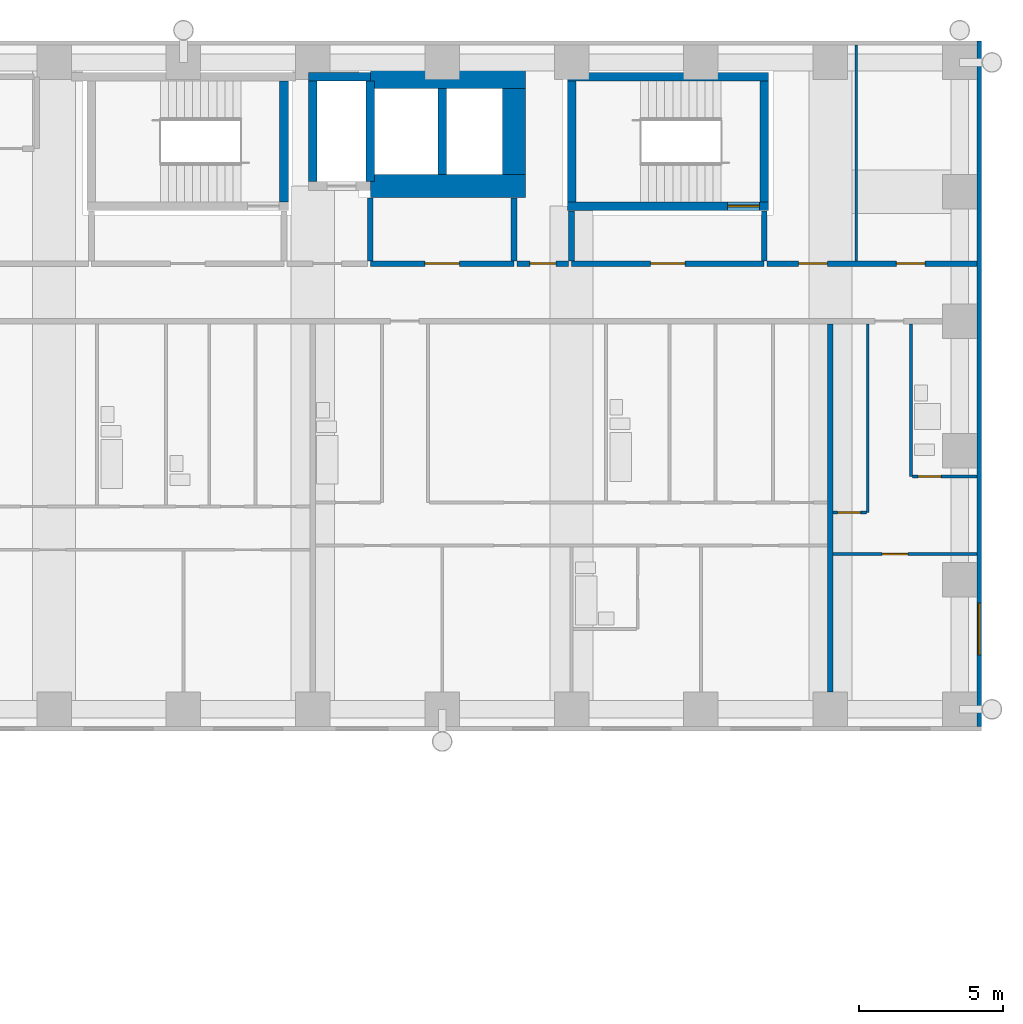
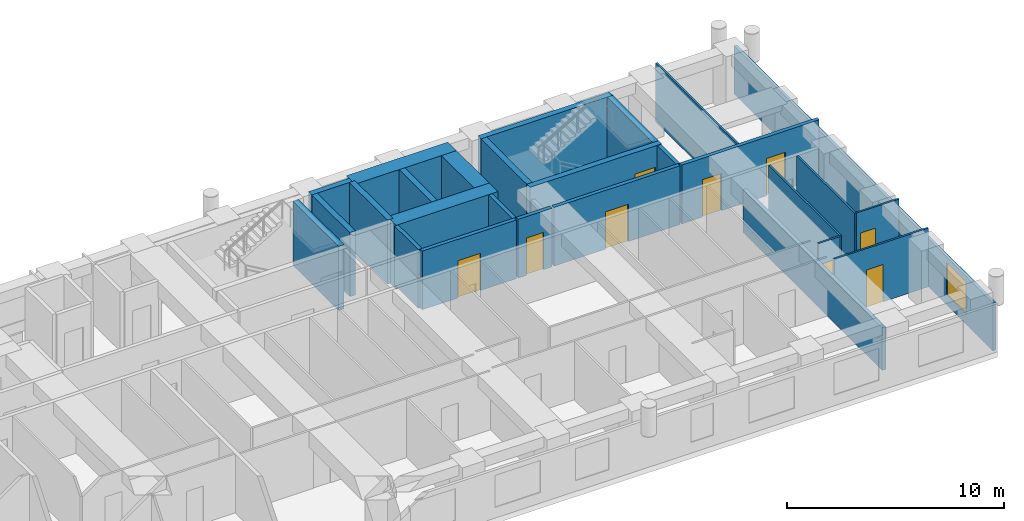
# One storey, part 11 of 14: 28 walls, 9 doors, 1 window, 10 openings.
"""IFC4 building model written with IfcOpenShell, lengths in metres."""

from ifc_helpers import new_model, si_unit, direction, frame, frame_2d, origin, place, context, subcontext, project, spatial, rectangle, extrude, material, layer, layer_set, type_object, element, fill, save


model = new_model("IFC4")

# Units and contexts
model_context = context("Model", 3, precision=1e-05, world=origin(), true_north=direction((0.0, 1.0)))
body_context = subcontext(model_context, "Body", "Model", "MODEL_VIEW")
ifc_project = project(units=[si_unit("LENGTHUNIT", "METRE"), si_unit("AREAUNIT", "SQUARE_METRE"), si_unit("VOLUMEUNIT", "CUBIC_METRE"), si_unit("PLANEANGLEUNIT", "RADIAN"), si_unit("MASSUNIT", "GRAM", prefix="KILO")], contexts=[model_context])

# Site, building, storey
site_placement = place(None, origin())
site = spatial("IfcSite", under=ifc_project, at=site_placement, CompositionType="ELEMENT")
building_placement = place(site_placement, origin())
building = spatial("IfcBuilding", under=site, at=building_placement, Name="Firuza Court", CompositionType="ELEMENT")
storey_placement = place(building_placement, frame((0.0, 0.0, 90.199951171875)))
storey = spatial("IfcBuildingStorey", under=building, at=storey_placement, Name="L22", CompositionType="ELEMENT", Elevation=90.199951171875)

# Walls
ifc_material_1 = material(Name="Moisture-resistant gypsum board partition")
ifc_layer_1 = layer(ifc_material_1, 0.10009765625)
ifc_layer_set_1 = layer_set([ifc_layer_1], Name="Moisture-resistant gypsum board partition")
wall_type_1 = type_object("IfcWallType", Name="Bathroom partition 100", PredefinedType="PLUMBINGWALL", material=ifc_layer_set_1)
wall_1_placement = place(storey_placement, frame((65.800048828125, 44.10009765625, 0.0), z_axis=(0.0, 0.0, 1.0), x_axis=(0.0, 1.0, 0.0)))
element("IfcWall", 1, at=wall_1_placement, inside=storey, type_object=wall_type_1, Name="Bathroom partition 100 L22", PredefinedType="PLUMBINGWALL", context=body_context, shape_type="SweptSolid", body=[
    extrude(rectangle(XDim=5.2998046875, YDim=0.10009765625, at=frame_2d((2.64990234375, 0.0))), origin(), (0.0, 0.0, 1.0), 3.300048828125),
])
ifc_material_2 = material(Name="Concrete C60/75", Category="concrete")
ifc_layer_2 = layer(ifc_material_2, 0.300048828125)
ifc_layer_set_2 = layer_set([ifc_layer_2], Name="Concrete C60/75")
wall_type_2 = type_object("IfcWallType", Name="Core wall 300 C60/75", PredefinedType="SHEAR", material=ifc_layer_set_2)
wall_2_placement = place(storey_placement, frame((44.0, 53.64990234375, -0.300048828125), z_axis=(0.0, 0.0, 1.0), x_axis=(0.0, 1.0, 0.0)))
element("IfcWall", 2, at=wall_2_placement, inside=storey, type_object=wall_type_2, Name="Core wall stair L22", PredefinedType="SHEAR", context=body_context, shape_type="SweptSolid", body=[
    extrude(rectangle(XDim=4.2001953125, YDim=0.300048828125, at=frame_2d((2.10009765625, 0.0))), origin(), (0.0, 0.0, 1.0), 3.60009765625),
])
wall_3_placement = place(storey_placement, frame((44.85009765625, 58.0, -0.300048828125), z_axis=(0.0, 0.0, 1.0), x_axis=(1.0, 0.0, 0.0)))
element("IfcWall", 3, at=wall_3_placement, inside=storey, type_object=wall_type_2, Name="Core wall riser L22", PredefinedType="SHEAR", context=body_context, shape_type="SweptSolid", body=[
    extrude(rectangle(XDim=2.14990234375, YDim=0.300048828125, at=frame_2d((1.074951171875, 0.0))), origin(), (0.0, 0.0, 1.0), 3.60009765625),
])
for number, where, z_axis, x_axis, name in (
    (4, (45.0, 54.35009765625, -0.300048828125), (0.0, 0.0, 1.0), (0.0, 1.0, 0.0), "Core wall riser L22"),
    (5, (47.0, 54.35009765625, -0.300048828125), (0.0, 0.0, 1.0), (0.0, 1.0, 0.0), "Core wall lift shaft L22"),
):
    element("IfcWall", number, at=place(storey_placement, frame(where, z_axis=z_axis, x_axis=x_axis)), inside=storey, type_object=wall_type_2, Name=name, PredefinedType="SHEAR", context=body_context, shape_type="SweptSolid", body=[
        extrude(rectangle(XDim=3.5, YDim=0.300048828125, at=frame_2d((1.75, 0.0))), origin(), (0.0, 0.0, 1.0), 3.60009765625),
    ])
wall_4_placement = place(storey_placement, frame((49.5, 54.60009765625, -0.300048828125), z_axis=(0.0, 0.0, 1.0), x_axis=(0.0, 1.0, 0.0)))
element("IfcWall", 6, at=wall_4_placement, inside=storey, type_object=wall_type_2, Name="Core wall lift shaft L22", PredefinedType="SHEAR", context=body_context, shape_type="SweptSolid", body=[
    extrude(rectangle(XDim=3.0, YDim=0.300048828125, at=frame_2d((1.5, 0.0))), origin(), (0.0, 0.0, 1.0), 3.60009765625),
])

# Wall, opening, door
wall_5_placement = place(storey_placement, frame((53.85009765625, 53.5, -0.300048828125), z_axis=(0.0, 0.0, 1.0), x_axis=(1.0, 0.0, 0.0)))
wall_5 = element("IfcWall", 7, at=wall_5_placement, inside=storey, type_object=wall_type_2, Name="Core wall stair L22", PredefinedType="SHEAR", context=body_context, shape_type="SweptSolid", body=[
    extrude(rectangle(XDim=7.0, YDim=0.300048828125, at=frame_2d((3.5, 0.0))), origin(), (0.0, 0.0, 1.0), 3.60009765625),
])
opening_1_placement = place(wall_5_placement, frame((5.580078125, 0.0, 0.300048828125)))
opening_1 = element("IfcOpeningElement", 8, at=opening_1_placement, cuts=wall_5, Name="Opening D22017", PredefinedType="OPENING", context=body_context, shape_type="SweptSolid", body=[
    extrude(rectangle(XDim=1.10009765625, YDim=2.10009765625, at=frame_2d((0.550048828125, 1.050048828125))), frame((0.0, 0.162109375, 0.0), z_axis=(0.0, -1.0, 0.0), x_axis=(1.0, 0.0, 0.0)), (0.0, 0.0, 1.0), 0.323974609375),
])
ifc_material_3 = material(Name="Timber door leaf in hardwood frame", Category="wood")
door_type_1 = type_object("IfcDoorType", Name="Stair door 1100", OperationType="SINGLE_SWING_LEFT", PredefinedType="DOOR", material=ifc_material_3)
door_1_placement = place(opening_1_placement, origin())
door_1 = element("IfcDoor", 9, at=door_1_placement, inside=storey, type_object=door_type_1, Name="Stair door S4", OperationType="SINGLE_SWING_RIGHT", OverallHeight=2.10009765625, OverallWidth=1.10009765625, PredefinedType="DOOR", context=body_context, shape_type="SweptSolid", body=[
    extrude(rectangle(XDim=1.10009765625, YDim=2.10009765625, at=frame_2d((0.550048828125, 1.050048828125))), frame((0.0, 0.02490234375, 0.0), z_axis=(0.0, -1.0, 0.0), x_axis=(1.0, 0.0, 0.0)), (0.0, 0.0, 1.0), 0.050048828125),
])
fill(opening_1, door_1)

# Walls
wall_6_placement = place(storey_placement, frame((53.85009765625, 58.0, -0.300048828125), z_axis=(0.0, 0.0, 1.0), x_axis=(1.0, 0.0, 0.0)))
element("IfcWall", 10, at=wall_6_placement, inside=storey, type_object=wall_type_2, Name="Core wall stair L22", PredefinedType="SHEAR", context=body_context, shape_type="SweptSolid", body=[
    extrude(rectangle(XDim=7.0, YDim=0.300048828125, at=frame_2d((3.5, 0.0))), origin(), (0.0, 0.0, 1.0), 3.60009765625),
])
for number, where, z_axis, x_axis, name in (
    (11, (54.0, 53.64990234375, -0.300048828125), (0.0, 0.0, 1.0), (0.0, 1.0, 0.0), "Core wall stair L22"),
    (12, (60.699951171875, 53.64990234375, -0.300048828125), (0.0, 0.0, 1.0), (0.0, 1.0, 0.0), "Core wall stair L22"),
):
    element("IfcWall", number, at=place(storey_placement, frame(where, z_axis=z_axis, x_axis=x_axis)), inside=storey, type_object=wall_type_2, Name=name, PredefinedType="SHEAR", context=body_context, shape_type="SweptSolid", body=[
        extrude(rectangle(XDim=4.2001953125, YDim=0.300048828125, at=frame_2d((2.10009765625, 0.0))), origin(), (0.0, 0.0, 1.0), 3.60009765625),
    ])
ifc_layer_3 = layer(ifc_material_2, 0.800048828125)
ifc_layer_set_3 = layer_set([ifc_layer_3], Name="Concrete C60/75")
wall_type_3 = type_object("IfcWallType", Name="Core wall 800 C60/75", PredefinedType="SHEAR", material=ifc_layer_set_3)
for number, where, z_axis, x_axis, name in (
    (13, (47.0, 54.199951171875, -0.300048828125), (0.0, 0.0, 1.0), (1.0, 0.0, 0.0), "Core wall lift shaft L22"),
    (14, (47.0, 58.0, -0.300048828125), (0.0, 0.0, 1.0), (1.0, 0.0, 0.0), "Core wall lift shaft L22"),
):
    element("IfcWall", number, at=place(storey_placement, frame(where, z_axis=z_axis, x_axis=x_axis)), inside=storey, type_object=wall_type_3, Name=name, PredefinedType="SHEAR", context=body_context, shape_type="SweptSolid", body=[
        extrude(rectangle(XDim=5.39990234375, YDim=0.800048828125, at=frame_2d((2.699951171875, 0.0))), origin(), (0.0, 0.0, 1.0), 3.60009765625),
    ])
wall_7_placement = place(storey_placement, frame((52.0, 54.60009765625, -0.300048828125), z_axis=(0.0, 0.0, 1.0), x_axis=(0.0, 1.0, 0.0)))
element("IfcWall", 15, at=wall_7_placement, inside=storey, type_object=wall_type_3, Name="Core wall lift shaft L22", PredefinedType="SHEAR", context=body_context, shape_type="SweptSolid", body=[
    extrude(rectangle(XDim=3.0, YDim=0.800048828125, at=frame_2d((1.5, 0.0))), origin(), (0.0, 0.0, 1.0), 3.60009765625),
])

# Wall, opening, door
ifc_material_4 = material(Name="Blockwork, plastered both sides", Category="masonry")
ifc_layer_4 = layer(ifc_material_4, 0.199951171875)
ifc_layer_set_4 = layer_set([ifc_layer_4], Name="Blockwork, plastered both sides")
wall_type_4 = type_object("IfcWallType", Name="Corridor wall 200", PredefinedType="PARTITIONING", material=ifc_layer_set_4)
wall_8_placement = place(storey_placement, frame((52.10009765625, 51.5, 0.0), z_axis=(0.0, 0.0, 1.0), x_axis=(1.0, 0.0, 0.0)))
wall_8 = element("IfcWall", 16, at=wall_8_placement, inside=storey, type_object=wall_type_4, Name="Corridor wall 200 L22", PredefinedType="PARTITIONING", context=body_context, shape_type="SweptSolid", body=[
    extrude(rectangle(XDim=1.7998046875, YDim=0.199951171875, at=frame_2d((0.89990234375, 0.0))), origin(), (0.0, 0.0, 1.0), 3.300048828125),
])
opening_2_placement = place(wall_8_placement, frame((0.449951171875, 0.0, 0.0)))
opening_2 = element("IfcOpeningElement", 17, at=opening_2_placement, cuts=wall_8, Name="Opening D22075", PredefinedType="OPENING", context=body_context, shape_type="SweptSolid", body=[
    extrude(rectangle(XDim=0.89990234375, YDim=2.10009765625, at=frame_2d((0.449951171875, 1.050048828125))), frame((0.0, 0.11181640625, 0.0), z_axis=(0.0, -1.0, 0.0), x_axis=(1.0, 0.0, 0.0)), (0.0, 0.0, 1.0), 0.223876953125),
])
ifc_material_5 = material(Name="Timber door leaf in hardwood frame", Category="wood")
door_type_2 = type_object("IfcDoorType", Name="Room door 900 EI 30", OperationType="SINGLE_SWING_LEFT", PredefinedType="DOOR", material=ifc_material_5)
door_2_placement = place(opening_2_placement, origin())
door_2 = element("IfcDoor", 18, at=door_2_placement, inside=storey, type_object=door_type_2, Name="Staff pantry door", OperationType="SINGLE_SWING_LEFT", OverallHeight=2.10009765625, OverallWidth=0.89990234375, PredefinedType="DOOR", context=body_context, shape_type="SweptSolid", body=[
    extrude(rectangle(XDim=0.89990234375, YDim=2.10009765625, at=frame_2d((0.449951171875, 1.050048828125))), frame((0.0, 0.02490234375, 0.0), z_axis=(0.0, -1.0, 0.0), x_axis=(1.0, 0.0, 0.0)), (0.0, 0.0, 1.0), 0.050048828125),
])
fill(opening_2, door_2)

# Wall, openings, doors
wall_9_placement = place(storey_placement, frame((60.800048828125, 51.5, 0.0), z_axis=(0.0, 0.0, 1.0), x_axis=(1.0, 0.0, 0.0)))
wall_9 = element("IfcWall", 19, at=wall_9_placement, inside=storey, type_object=wall_type_4, Name="Corridor wall 200 L22", PredefinedType="PARTITIONING", context=body_context, shape_type="SweptSolid", body=[
    extrude(rectangle(XDim=7.300048828125, YDim=0.199951171875, at=frame_2d((3.64990234375, 0.0))), origin(), (0.0, 0.0, 1.0), 3.300048828125),
])
opening_3_placement = place(wall_9_placement, frame((1.10009765625, 0.0, 0.0)))
opening_3 = element("IfcOpeningElement", 20, at=opening_3_placement, cuts=wall_9, Name="Opening D22076", PredefinedType="OPENING", context=body_context, shape_type="SweptSolid", body=[
    extrude(rectangle(XDim=1.0, YDim=2.10009765625, at=frame_2d((0.5, 1.050048828125))), frame((0.0, 0.11181640625, 0.0), z_axis=(0.0, -1.0, 0.0), x_axis=(1.0, 0.0, 0.0)), (0.0, 0.0, 1.0), 0.223876953125),
])
opening_4_placement = place(wall_9_placement, frame((4.5, 0.0, 0.0)))
opening_4 = element("IfcOpeningElement", 21, at=opening_4_placement, cuts=wall_9, Name="Opening D22077", PredefinedType="OPENING", context=body_context, shape_type="SweptSolid", body=[
    extrude(rectangle(XDim=1.0, YDim=2.10009765625, at=frame_2d((0.5, 1.050048828125))), frame((0.0, 0.11181640625, 0.0), z_axis=(0.0, -1.0, 0.0), x_axis=(1.0, 0.0, 0.0)), (0.0, 0.0, 1.0), 0.223876953125),
])
ifc_material_6 = material(Name="Timber door leaf in hardwood frame", Category="wood")
door_type_3 = type_object("IfcDoorType", Name="Store door 1000", OperationType="SINGLE_SWING_LEFT", PredefinedType="DOOR", material=ifc_material_6)
door_3_placement = place(opening_3_placement, origin())
door_3 = element("IfcDoor", 22, at=door_3_placement, inside=storey, type_object=door_type_3, Name="Parcel room door", OperationType="SINGLE_SWING_LEFT", OverallHeight=2.10009765625, OverallWidth=1.0, PredefinedType="DOOR", context=body_context, shape_type="SweptSolid", body=[
    extrude(rectangle(XDim=1.0, YDim=2.10009765625, at=frame_2d((0.5, 1.050048828125))), frame((0.0, 0.02490234375, 0.0), z_axis=(0.0, -1.0, 0.0), x_axis=(1.0, 0.0, 0.0)), (0.0, 0.0, 1.0), 0.050048828125),
])
fill(opening_3, door_3)
door_4_placement = place(opening_4_placement, origin())
door_4 = element("IfcDoor", 23, at=door_4_placement, inside=storey, type_object=door_type_3, Name="Cleaner's store door", OperationType="SINGLE_SWING_LEFT", OverallHeight=2.10009765625, OverallWidth=1.0, PredefinedType="DOOR", context=body_context, shape_type="SweptSolid", body=[
    extrude(rectangle(XDim=1.0, YDim=2.10009765625, at=frame_2d((0.5, 1.050048828125))), frame((0.0, 0.02490234375, 0.0), z_axis=(0.0, -1.0, 0.0), x_axis=(1.0, 0.0, 0.0)), (0.0, 0.0, 1.0), 0.050048828125),
])
fill(opening_4, door_4)

# Wall, opening, door
ifc_material_7 = material(Name="Timber stud partition, plasterboard both sides", Category="wood")
ifc_layer_5 = layer(ifc_material_7, 0.10009765625)
ifc_layer_set_5 = layer_set([ifc_layer_5], Name="Timber stud partition, plasterboard both sides")
wall_type_5 = type_object("IfcWallType", Name="Partition wall 100", PredefinedType="PARTITIONING", material=ifc_layer_set_5)
wall_10_placement = place(storey_placement, frame((63.10009765625, 41.39990234375, 0.0), z_axis=(0.0, 0.0, 1.0), x_axis=(1.0, 0.0, 0.0)))
wall_10 = element("IfcWall", 24, at=wall_10_placement, inside=storey, type_object=wall_type_5, Name="Partition wall 100 L22", PredefinedType="PARTITIONING", context=body_context, shape_type="SweptSolid", body=[
    extrude(rectangle(XDim=5.0, YDim=0.10009765625, at=frame_2d((2.5, 0.0))), origin(), (0.0, 0.0, 1.0), 3.300048828125),
])
opening_5_placement = place(wall_10_placement, frame((1.699951171875, 0.0, 0.0)))
opening_5 = element("IfcOpeningElement", 25, at=opening_5_placement, cuts=wall_10, Name="Opening D22043", PredefinedType="OPENING", context=body_context, shape_type="SweptSolid", body=[
    extrude(rectangle(XDim=0.89990234375, YDim=2.10009765625, at=frame_2d((0.449951171875, 1.050048828125))), frame((0.0, 0.06201171875, 0.0), z_axis=(0.0, -1.0, 0.0), x_axis=(1.0, 0.0, 0.0)), (0.0, 0.0, 1.0), 0.1240234375),
])
ifc_material_8 = material(Name="Timber door leaf in hardwood frame", Category="wood")
door_type_4 = type_object("IfcDoorType", Name="Room door 900", OperationType="SINGLE_SWING_LEFT", PredefinedType="DOOR", material=ifc_material_8)
door_5_placement = place(opening_5_placement, frame((0.89990234375, 0.0, 0.0), z_axis=(0.0, 0.0, 1.0), x_axis=(-1.0, 0.0, 0.0)))
door_5 = element("IfcDoor", 26, at=door_5_placement, inside=storey, type_object=door_type_4, Name="Studio room door", OperationType="SINGLE_SWING_RIGHT", OverallHeight=2.10009765625, OverallWidth=0.89990234375, PredefinedType="DOOR", context=body_context, shape_type="SweptSolid", body=[
    extrude(rectangle(XDim=0.89990234375, YDim=2.10009765625, at=frame_2d((0.449951171875, 1.050048828125))), frame((0.0, 0.02490234375, 0.0), z_axis=(0.0, -1.0, 0.0), x_axis=(1.0, 0.0, 0.0)), (0.0, 0.0, 1.0), 0.050048828125),
])
fill(opening_5, door_5)

wall_11_placement = place(storey_placement, frame((63.10009765625, 42.85009765625, 0.0), z_axis=(0.0, 0.0, 1.0), x_axis=(1.0, 0.0, 0.0)))
wall_11 = element("IfcWall", 27, at=wall_11_placement, inside=storey, type_object=wall_type_5, Name="Partition wall 100 L22", PredefinedType="PARTITIONING", context=body_context, shape_type="SweptSolid", body=[
    extrude(rectangle(XDim=1.14990234375, YDim=0.10009765625, at=frame_2d((0.574951171875, 0.0))), origin(), (0.0, 0.0, 1.0), 3.300048828125),
])
opening_6_placement = place(wall_11_placement, frame((0.14990234375, 0.0, 0.0)))
opening_6 = element("IfcOpeningElement", 28, at=opening_6_placement, cuts=wall_11, Name="Opening D22052", PredefinedType="OPENING", context=body_context, shape_type="SweptSolid", body=[
    extrude(rectangle(XDim=0.800048828125, YDim=2.10009765625, at=frame_2d((0.39990234375, 1.050048828125))), frame((0.0, 0.06201171875, 0.0), z_axis=(0.0, -1.0, 0.0), x_axis=(1.0, 0.0, 0.0)), (0.0, 0.0, 1.0), 0.1240234375),
])
ifc_material_9 = material(Name="Timber door leaf in hardwood frame", Category="wood")
door_type_5 = type_object("IfcDoorType", Name="Room door 800", OperationType="SINGLE_SWING_LEFT", PredefinedType="DOOR", material=ifc_material_9)
door_6_placement = place(opening_6_placement, origin())
door_6 = element("IfcDoor", 29, at=door_6_placement, inside=storey, type_object=door_type_5, Name="Kitchen door", OperationType="SINGLE_SWING_LEFT", OverallHeight=2.10009765625, OverallWidth=0.800048828125, PredefinedType="DOOR", context=body_context, shape_type="SweptSolid", body=[
    extrude(rectangle(XDim=0.800048828125, YDim=2.10009765625, at=frame_2d((0.39990234375, 1.050048828125))), frame((0.0, 0.02490234375, 0.0), z_axis=(0.0, -1.0, 0.0), x_axis=(1.0, 0.0, 0.0)), (0.0, 0.0, 1.0), 0.050048828125),
])
fill(opening_6, door_6)

# Wall
wall_12_placement = place(storey_placement, frame((64.300048828125, 42.85009765625, 0.0), z_axis=(0.0, 0.0, 1.0), x_axis=(0.0, 1.0, 0.0)))
element("IfcWall", 30, at=wall_12_placement, inside=storey, type_object=wall_type_5, Name="Partition wall 100 L22", PredefinedType="PARTITIONING", context=body_context, shape_type="SweptSolid", body=[
    extrude(rectangle(XDim=6.5498046875, YDim=0.10009765625, at=frame_2d((3.27490234375, 0.0))), origin(), (0.0, 0.0, 1.0), 3.300048828125),
])

# Wall, opening, door
wall_13_placement = place(storey_placement, frame((65.85009765625, 44.10009765625, 0.0), z_axis=(0.0, 0.0, 1.0), x_axis=(1.0, 0.0, 0.0)))
wall_13 = element("IfcWall", 31, at=wall_13_placement, inside=storey, type_object=wall_type_5, Name="Partition wall 100 L22", PredefinedType="PARTITIONING", context=body_context, shape_type="SweptSolid", body=[
    extrude(rectangle(XDim=2.25, YDim=0.10009765625, at=frame_2d((1.125, 0.0))), origin(), (0.0, 0.0, 1.0), 3.300048828125),
])
opening_7_placement = place(wall_13_placement, frame((0.199951171875, 0.0, 0.0)))
opening_7 = element("IfcOpeningElement", 32, at=opening_7_placement, cuts=wall_13, Name="Opening D22067", PredefinedType="OPENING", context=body_context, shape_type="SweptSolid", body=[
    extrude(rectangle(XDim=0.800048828125, YDim=2.10009765625, at=frame_2d((0.39990234375, 1.050048828125))), frame((0.0, 0.06201171875, 0.0), z_axis=(0.0, -1.0, 0.0), x_axis=(1.0, 0.0, 0.0)), (0.0, 0.0, 1.0), 0.1240234375),
])
ifc_material_10 = material(Name="Timber door leaf in hardwood frame", Category="wood")
door_type_6 = type_object("IfcDoorType", Name="Bathroom door 800", OperationType="SINGLE_SWING_LEFT", PredefinedType="DOOR", material=ifc_material_10)
door_7_placement = place(opening_7_placement, origin())
door_7 = element("IfcDoor", 33, at=door_7_placement, inside=storey, type_object=door_type_6, Name="Bathroom door", OperationType="SINGLE_SWING_LEFT", OverallHeight=2.10009765625, OverallWidth=0.800048828125, PredefinedType="DOOR", context=body_context, shape_type="SweptSolid", body=[
    extrude(rectangle(XDim=0.800048828125, YDim=2.10009765625, at=frame_2d((0.39990234375, 1.050048828125))), frame((0.0, 0.02490234375, 0.0), z_axis=(0.0, -1.0, 0.0), x_axis=(1.0, 0.0, 0.0)), (0.0, 0.0, 1.0), 0.050048828125),
])
fill(opening_7, door_7)

# Walls
wall_14_placement = place(storey_placement, frame((63.89990234375, 51.60009765625, 0.0), z_axis=(0.0, 0.0, 1.0), x_axis=(0.0, 1.0, 0.0)))
element("IfcWall", 34, at=wall_14_placement, inside=storey, type_object=wall_type_5, Name="Partition wall 100 L22", PredefinedType="PARTITIONING", context=body_context, shape_type="SweptSolid", body=[
    extrude(rectangle(XDim=7.5, YDim=0.10009765625, at=frame_2d((3.75, 0.0))), origin(), (0.0, 0.0, 1.0), 3.300048828125),
])
ifc_layer_6 = layer(ifc_material_4, 0.199951171875)
ifc_layer_set_6 = layer_set([ifc_layer_6], Name="Blockwork, plastered both sides")
wall_type_6 = type_object("IfcWallType", Name="Party wall 200", PredefinedType="PARTITIONING", material=ifc_layer_set_6)
wall_15_placement = place(storey_placement, frame((63.0, 36.60009765625, 0.0), z_axis=(0.0, 0.0, 1.0), x_axis=(0.0, 1.0, 0.0)))
element("IfcWall", 35, at=wall_15_placement, inside=storey, type_object=wall_type_6, Name="Party wall 200 L22", PredefinedType="PARTITIONING", context=body_context, shape_type="SweptSolid", body=[
    extrude(rectangle(XDim=12.7998046875, YDim=0.199951171875, at=frame_2d((6.39990234375, 0.0))), origin(), (0.0, 0.0, 1.0), 2.400146484375),
])

# Wall, opening, window
ifc_material_11 = material(Name="Ceramic tile", Category="ceramic")
ifc_layer_7 = layer(ifc_material_11, 0.02001953125)
ifc_material_12 = material(Name="Mineral wool insulation", Category="insulation")
ifc_layer_8 = layer(ifc_material_12, 0.050048828125)
ifc_material_13 = material(Name="Concrete C40/50 precast", Category="concrete")
ifc_layer_9 = layer(ifc_material_13, 0.080078125)
ifc_layer_set_7 = layer_set([ifc_layer_7, ifc_layer_8, ifc_layer_9], Name="Concrete C40/50 precast")
wall_type_7 = type_object("IfcWallType", Name="Precast cladding wall with turquoise TILE PANEL face 150", PredefinedType="STANDARD", material=ifc_layer_set_7)
wall_16_placement = place(storey_placement, frame((68.175048828125, 35.39990234375, 0.0), z_axis=(0.0, 0.0, 1.0), x_axis=(0.0, 1.0, 0.0)))
wall_16 = element("IfcWall", 36, at=wall_16_placement, inside=storey, type_object=wall_type_7, Name="Facade wall L22 E", PredefinedType="STANDARD", context=body_context, shape_type="SweptSolid", body=[
    extrude(rectangle(XDim=23.85009765625, YDim=0.14990234375, at=frame_2d((11.925048828125, 0.0))), origin(), (0.0, 0.0, 1.0), 2.699951171875),
])
opening_8_placement = place(wall_16_placement, frame((2.490478515625, 0.0, 0.60009765625)))
opening_8 = element("IfcOpeningElement", 37, at=opening_8_placement, cuts=wall_16, Name="Opening W7", PredefinedType="OPENING", context=body_context, shape_type="SweptSolid", body=[
    extrude(rectangle(XDim=1.800048828125, YDim=1.800048828125, at=frame_2d((0.89990234375, 0.89990234375))), frame((0.0, 0.0869140625, 0.0), z_axis=(0.0, -1.0, 0.0), x_axis=(1.0, 0.0, 0.0)), (0.0, 0.0, 1.0), 0.173828125),
])
ifc_material_14 = material(Name="Aluminium frame, triple clear glazing", Category="aluminium")
window_type = type_object("IfcWindowType", Name="Window W7 1800 x 1800", PartitioningType="SINGLE_PANEL", PredefinedType="WINDOW", material=ifc_material_14)
window_placement = place(opening_8_placement, origin())
window = element("IfcWindow", 38, at=window_placement, inside=storey, type_object=window_type, Name="Window L22", OverallHeight=1.800048828125, OverallWidth=1.800048828125, PartitioningType="SINGLE_PANEL", PredefinedType="WINDOW", context=body_context, shape_type="SweptSolid", body=[
    extrude(rectangle(XDim=1.800048828125, YDim=1.800048828125, at=frame_2d((0.89990234375, 0.89990234375))), frame((0.0, 0.030029296875, 0.0), z_axis=(0.0, -1.0, 0.0), x_axis=(1.0, 0.0, 0.0)), (0.0, 0.0, 1.0), 0.06005859375),
])
fill(opening_8, window)

# Wall, opening, door
ifc_material_15 = material(Name="Blockwork, fire-rated", Category="masonry")
ifc_layer_10 = layer(ifc_material_15, 0.199951171875)
ifc_layer_set_8 = layer_set([ifc_layer_10], Name="Blockwork, fire-rated")
wall_type_8 = type_object("IfcWallType", Name="Shaft wall 200", PredefinedType="PARTITIONING", material=ifc_layer_set_8)
wall_17_placement = place(storey_placement, frame((47.0, 51.5, 0.0), z_axis=(0.0, 0.0, 1.0), x_axis=(1.0, 0.0, 0.0)))
wall_17 = element("IfcWall", 39, at=wall_17_placement, inside=storey, type_object=wall_type_8, Name="Shaft wall 200 L22", PredefinedType="PARTITIONING", context=body_context, shape_type="SweptSolid", body=[
    extrude(rectangle(XDim=5.0, YDim=0.199951171875, at=frame_2d((2.5, 0.0))), origin(), (0.0, 0.0, 1.0), 3.300048828125),
])
opening_9_placement = place(wall_17_placement, frame((1.89990234375, 0.0, 0.0)))
opening_9 = element("IfcOpeningElement", 40, at=opening_9_placement, cuts=wall_17, Name="Opening D22009", PredefinedType="OPENING", context=body_context, shape_type="SweptSolid", body=[
    extrude(rectangle(XDim=1.199951171875, YDim=2.10009765625, at=frame_2d((0.60009765625, 1.050048828125))), frame((0.0, 0.11181640625, 0.0), z_axis=(0.0, -1.0, 0.0), x_axis=(1.0, 0.0, 0.0)), (0.0, 0.0, 1.0), 0.223876953125),
])
ifc_material_16 = material(Name="Timber door leaf in hardwood frame", Category="wood")
door_type_7 = type_object("IfcDoorType", Name="Lobby door 1200", OperationType="SINGLE_SWING_LEFT", PredefinedType="DOOR", material=ifc_material_16)
door_8_placement = place(opening_9_placement, origin())
door_8 = element("IfcDoor", 41, at=door_8_placement, inside=storey, type_object=door_type_7, Name="Lobby door", OperationType="SINGLE_SWING_LEFT", OverallHeight=2.10009765625, OverallWidth=1.199951171875, PredefinedType="DOOR", context=body_context, shape_type="SweptSolid", body=[
    extrude(rectangle(XDim=1.199951171875, YDim=2.10009765625, at=frame_2d((0.60009765625, 1.050048828125))), frame((0.0, 0.02490234375, 0.0), z_axis=(0.0, -1.0, 0.0), x_axis=(1.0, 0.0, 0.0)), (0.0, 0.0, 1.0), 0.050048828125),
])
fill(opening_9, door_8)

# Walls
for number, where, z_axis, x_axis, name in (
    (42, (52.0, 51.60009765625, 0.0), (0.0, 0.0, 1.0), (0.0, 1.0, 0.0), "Shaft wall 200 L22"),
    (43, (47.0, 51.60009765625, 0.0), (0.0, 0.0, 1.0), (0.0, 1.0, 0.0), "Shaft wall 200 L22"),
):
    element("IfcWall", number, at=place(storey_placement, frame(where, z_axis=z_axis, x_axis=x_axis)), inside=storey, type_object=wall_type_8, Name=name, PredefinedType="PARTITIONING", context=body_context, shape_type="SweptSolid", body=[
        extrude(rectangle(XDim=2.179931640625, YDim=0.199951171875, at=frame_2d((1.08984375, 0.0))), origin(), (0.0, 0.0, 1.0), 3.300048828125),
    ])

# Wall, opening, door
wall_18_placement = place(storey_placement, frame((54.0, 51.5, 0.0), z_axis=(0.0, 0.0, 1.0), x_axis=(1.0, 0.0, 0.0)))
wall_18 = element("IfcWall", 44, at=wall_18_placement, inside=storey, type_object=wall_type_8, Name="Shaft wall 200 L22", PredefinedType="PARTITIONING", context=body_context, shape_type="SweptSolid", body=[
    extrude(rectangle(XDim=6.699951171875, YDim=0.199951171875, at=frame_2d((3.35009765625, 0.0))), origin(), (0.0, 0.0, 1.0), 3.300048828125),
])
opening_10_placement = place(wall_18_placement, frame((2.75, 0.0, 0.0)))
opening_10 = element("IfcOpeningElement", 45, at=opening_10_placement, cuts=wall_18, Name="Opening D22007", PredefinedType="OPENING", context=body_context, shape_type="SweptSolid", body=[
    extrude(rectangle(XDim=1.199951171875, YDim=2.10009765625, at=frame_2d((0.60009765625, 1.050048828125))), frame((0.0, 0.11181640625, 0.0), z_axis=(0.0, -1.0, 0.0), x_axis=(1.0, 0.0, 0.0)), (0.0, 0.0, 1.0), 0.223876953125),
])
door_9_placement = place(opening_10_placement, origin())
door_9 = element("IfcDoor", 46, at=door_9_placement, inside=storey, type_object=door_type_7, Name="Lobby door", OperationType="SINGLE_SWING_LEFT", OverallHeight=2.10009765625, OverallWidth=1.199951171875, PredefinedType="DOOR", context=body_context, shape_type="SweptSolid", body=[
    extrude(rectangle(XDim=1.199951171875, YDim=2.10009765625, at=frame_2d((0.60009765625, 1.050048828125))), frame((0.0, 0.02490234375, 0.0), z_axis=(0.0, -1.0, 0.0), x_axis=(1.0, 0.0, 0.0)), (0.0, 0.0, 1.0), 0.050048828125),
])
fill(opening_10, door_9)

# Walls
wall_19_placement = place(storey_placement, frame((60.699951171875, 51.60009765625, 0.0), z_axis=(0.0, 0.0, 1.0), x_axis=(0.0, 1.0, 0.0)))
element("IfcWall", 47, at=wall_19_placement, inside=storey, type_object=wall_type_8, Name="Shaft wall 200 L22", PredefinedType="PARTITIONING", context=body_context, shape_type="SweptSolid", body=[
    extrude(rectangle(XDim=1.72998046875, YDim=0.199951171875, at=frame_2d((0.864990234375, 0.0))), origin(), (0.0, 0.0, 1.0), 3.300048828125),
])
wall_20_placement = place(storey_placement, frame((54.0, 51.60009765625, 0.0), z_axis=(0.0, 0.0, 1.0), x_axis=(0.0, 1.0, 0.0)))
element("IfcWall", 48, at=wall_20_placement, inside=storey, type_object=wall_type_8, Name="Shaft wall 200 L22", PredefinedType="PARTITIONING", context=body_context, shape_type="SweptSolid", body=[
    extrude(rectangle(XDim=1.72998046875, YDim=0.199951171875, at=frame_2d((0.864990234375, 0.0))), origin(), (0.0, 0.0, 1.0), 2.60009765625),
])

save(model, "model.ifc")
